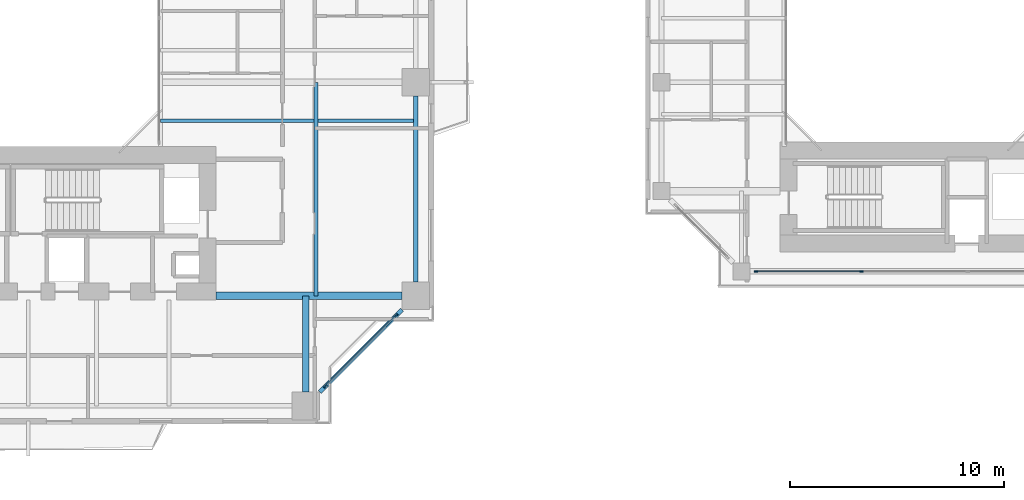
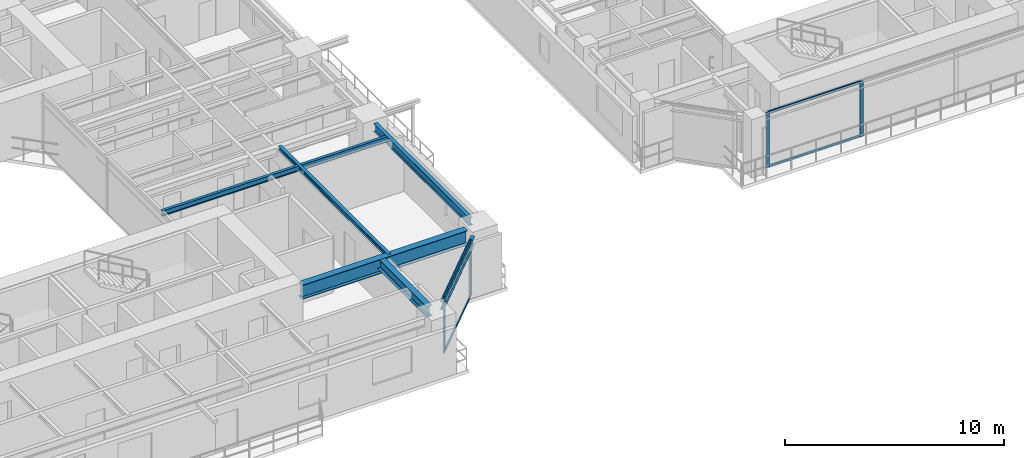
# One storey, part 5 of 23: 8 members, 6 beams, 2 elements without a shape of their own.
"""IFC4 building model written with IfcOpenShell, lengths in metres."""

from ifc_helpers import new_model, si_unit, direction, frame, origin, origin_2d, place, context, subcontext, project, spatial, rectangle, i_section, extrude, source, transform, mapped, material, layer, layer_set, material_profile, profile_set, type_object, element, aggregate, save


model = new_model("IFC4")

# Units and contexts
model_context = context("Model", 3, precision=1e-05, world=origin(), true_north=direction((0.0, 1.0)))
body_context = subcontext(model_context, "Body", "Model", "MODEL_VIEW")
ifc_project = project(units=[si_unit("LENGTHUNIT", "METRE"), si_unit("AREAUNIT", "SQUARE_METRE"), si_unit("VOLUMEUNIT", "CUBIC_METRE"), si_unit("PLANEANGLEUNIT", "RADIAN"), si_unit("MASSUNIT", "GRAM", prefix="KILO"), si_unit("THERMODYNAMICTEMPERATUREUNIT", "KELVIN"), si_unit("POWERUNIT", "WATT")], contexts=[model_context])

# Site, building, storey
site_placement = place(None, origin())
site = spatial("IfcSite", under=ifc_project, at=site_placement, CompositionType="ELEMENT")
building_placement = place(site_placement, origin())
building = spatial("IfcBuilding", under=site, at=building_placement, Name="Qiaomeng Ring Towers", CompositionType="ELEMENT")
storey_placement = place(building_placement, frame((0.0, 0.0, 79.5)))
storey = spatial("IfcBuildingStorey", under=building, at=storey_placement, Name="L22", CompositionType="ELEMENT", Elevation=79.5)

# Beams
ifc_material_1 = material(Name="Steel Q355B", Category="steel")
ifc_material_profile_1 = material_profile(ifc_material_1, i_section(OverallWidth=0.199951171875, OverallDepth=0.449951171875, WebThickness=0.009033203125, FlangeThickness=0.013916015625, FilletRadius=0.01806640625, at=origin_2d()), Name="HN 450x200x9x14")
ifc_profile_set_1 = profile_set([ifc_material_profile_1], Name="Steel Q355B")
beam_type_1 = type_object("IfcBeamType", Name="STR-BM-HN450", PredefinedType="SPANDREL", material=ifc_profile_set_1)
shared_shape_1 = source(origin(), body_context, "Body", "SweptSolid", [
    extrude(i_section(OverallWidth=0.199951171875, OverallDepth=0.449951171875, WebThickness=0.009033203125, FlangeThickness=0.013916015625, FilletRadius=0.01806640625, at=origin_2d()), origin(), (0.0, 0.0, 1.0), 5.446533203125),
])
beam_1_placement = place(storey_placement, frame((32.6494140625, 5.499267578125, 2.844970703125), z_axis=(0.707106781187, 0.707106781187, 0.0), x_axis=(-0.707106781187, 0.707106781187, 0.0)))
element("IfcBeam", 1, at=beam_1_placement, inside=storey, type_object=beam_type_1, Name="L22 beam STR-SP-L22-T1-S2-E1", PredefinedType="SPANDREL", context=body_context, shape_type="MappedRepresentation", body=[
    mapped(shared_shape_1, transform((0.0, 0.0, 0.0), x_axis=(1.0, 0.0, 0.0), y_axis=(0.0, 1.0, 0.0), z_axis=(0.0, 0.0, 1.0), scale=1.0)),
])
shared_shape_2 = source(origin(), body_context, "Body", "SweptSolid", [
    extrude(i_section(OverallWidth=0.199951171875, OverallDepth=0.449951171875, WebThickness=0.009033203125, FlangeThickness=0.013916015625, FilletRadius=0.01806640625, at=origin_2d()), origin(), (0.0, 0.0, 1.0), 8.7021484375),
])
beam_2_placement = place(storey_placement, frame((37.14990234375, 10.64892578125, 2.844970703125), z_axis=(0.0, 1.0, 0.0), x_axis=(-1.0, 0.0, 0.0)))
element("IfcBeam", 2, at=beam_2_placement, inside=storey, type_object=beam_type_1, Name="L22 beam STR-SP-L22-T1-E1-E2", PredefinedType="SPANDREL", context=body_context, shape_type="MappedRepresentation", body=[
    mapped(shared_shape_2, transform((0.0, 0.0, 0.0), x_axis=(1.0, 0.0, 0.0), y_axis=(0.0, 1.0, 0.0), z_axis=(0.0, 0.0, 1.0), scale=1.0)),
])
ifc_material_2 = material(Name="Steel Q390GJC", Category="steel")
ifc_material_profile_2 = material_profile(ifc_material_2, i_section(OverallWidth=0.35009765625, OverallDepth=0.800048828125, WebThickness=0.01611328125, FlangeThickness=0.028076171875, at=origin_2d()), Name="WH 800x350x16x28")
ifc_profile_set_2 = profile_set([ifc_material_profile_2], Name="Steel Q390GJC")
beam_type_2 = type_object("IfcBeamType", Name="STR-BM-WH800", PredefinedType="BEAM", material=ifc_profile_set_2)
shared_shape_3 = source(origin(), body_context, "Body", "SweptSolid", [
    extrude(i_section(OverallWidth=0.35009765625, OverallDepth=0.800048828125, WebThickness=0.01611328125, FlangeThickness=0.028076171875, at=origin_2d()), origin(), (0.0, 0.0, 1.0), 8.700927734375),
])
beam_3_placement = place(storey_placement, frame((27.800048828125, 10.0, 2.669921875), z_axis=(1.0, 0.0, 0.0), x_axis=(0.0, 1.0, 0.0)))
element("IfcBeam", 3, at=beam_3_placement, inside=storey, type_object=beam_type_2, Name="L22 beam STR-BM-L22-T1-RAD-E1", PredefinedType="BEAM", context=body_context, shape_type="MappedRepresentation", body=[
    mapped(shared_shape_3, transform((0.0, 0.0, 0.0), x_axis=(1.0, 0.0, 0.0), y_axis=(0.0, 1.0, 0.0), z_axis=(0.0, 0.0, 1.0), scale=1.0)),
])
ifc_material_profile_3 = material_profile(ifc_material_1, i_section(OverallWidth=0.300048828125, OverallDepth=0.587890625, WebThickness=0.011962890625, FlangeThickness=0.02001953125, FilletRadius=0.028076171875, at=origin_2d()), Name="HM 588x300x12x20")
ifc_profile_set_3 = profile_set([ifc_material_profile_3], Name="Steel Q355B")
beam_type_3 = type_object("IfcBeamType", Name="STR-BM-HM588", PredefinedType="BEAM", material=ifc_profile_set_3)
shared_shape_4 = source(origin(), body_context, "Body", "SweptSolid", [
    extrude(i_section(OverallWidth=0.300048828125, OverallDepth=0.587890625, WebThickness=0.011962890625, FlangeThickness=0.02001953125, FilletRadius=0.028076171875, at=origin_2d()), origin(), (0.0, 0.0, 1.0), 4.5009765625),
])
beam_4_placement = place(storey_placement, frame((32.0, 5.4990234375, 2.77587890625), z_axis=(0.0, 1.0, 0.0), x_axis=(-1.0, 0.0, 0.0)))
element("IfcBeam", 4, at=beam_4_placement, inside=storey, type_object=beam_type_3, Name="L22 beam STR-BM-L22-T1-RAD-S2", PredefinedType="BEAM", context=body_context, shape_type="MappedRepresentation", body=[
    mapped(shared_shape_4, transform((0.0, 0.0, 0.0), x_axis=(1.0, 0.0, 0.0), y_axis=(0.0, 1.0, 0.0), z_axis=(0.0, 0.0, 1.0), scale=1.0)),
])
ifc_material_profile_4 = material_profile(ifc_material_1, i_section(OverallWidth=0.14990234375, OverallDepth=0.300048828125, WebThickness=0.006591796875, FlangeThickness=0.009033203125, FilletRadius=0.012939453125, at=origin_2d()), Name="HN 300x150x6.5x9")
ifc_profile_set_4 = profile_set([ifc_material_profile_4], Name="Steel Q355B")
beam_type_4 = type_object("IfcBeamType", Name="STR-BM-HN300", PredefinedType="JOIST", material=ifc_profile_set_4)
shared_shape_5 = source(origin(), body_context, "Body", "SweptSolid", [
    extrude(i_section(OverallWidth=0.14990234375, OverallDepth=0.300048828125, WebThickness=0.006591796875, FlangeThickness=0.009033203125, FilletRadius=0.012939453125, at=origin_2d()), origin(), (0.0, 0.0, 1.0), 11.949951171875),
])
beam_5_placement = place(storey_placement, frame((25.199951171875, 18.199951171875, 2.919921875), z_axis=(1.0, 0.0, 0.0), x_axis=(0.0, 1.0, 0.0)))
element("IfcBeam", 5, at=beam_5_placement, inside=storey, type_object=beam_type_4, Name="L22 beam STR-JST-L22-T1E-1", PredefinedType="JOIST", context=body_context, shape_type="MappedRepresentation", body=[
    mapped(shared_shape_5, transform((0.0, 0.0, 0.0), x_axis=(1.0, 0.0, 0.0), y_axis=(0.0, 1.0, 0.0), z_axis=(0.0, 0.0, 1.0), scale=1.0)),
])
ifc_material_profile_5 = material_profile(ifc_material_1, i_section(OverallWidth=0.175048828125, OverallDepth=0.243896484375, WebThickness=0.007080078125, FlangeThickness=0.010986328125, FilletRadius=0.01611328125, at=origin_2d()), Name="HM 244x175x7x11")
ifc_profile_set_5 = profile_set([ifc_material_profile_5], Name="Steel Q355B")
beam_type_5 = type_object("IfcBeamType", Name="STR-BM-HM244", PredefinedType="JOIST", material=ifc_profile_set_5)
shared_shape_6 = source(origin(), body_context, "Body", "SweptSolid", [
    extrude(i_section(OverallWidth=0.175048828125, OverallDepth=0.243896484375, WebThickness=0.007080078125, FlangeThickness=0.010986328125, FilletRadius=0.01611328125, at=origin_2d()), origin(), (0.0, 0.0, 1.0), 10.0),
])
beam_6_placement = place(storey_placement, frame((32.47509765625, 10.0, 2.947998046875), z_axis=(0.0, 1.0, 0.0), x_axis=(-1.0, 0.0, 0.0)))
element("IfcBeam", 6, at=beam_6_placement, inside=storey, type_object=beam_type_5, Name="L22 beam STR-JST-L22-T1C-ES", PredefinedType="JOIST", context=body_context, shape_type="MappedRepresentation", body=[
    mapped(shared_shape_6, transform((0.0, 0.0, 0.0), x_axis=(1.0, 0.0, 0.0), y_axis=(0.0, 1.0, 0.0), z_axis=(0.0, 0.0, 1.0), scale=1.0)),
])

# Curtain wall, members
ifc_material_3 = material(Name="Fluorocarbon dark-grey aluminium", Category="aluminium")
ifc_layer_1 = layer(ifc_material_3, 0.159912109375, Name="Fluorocarbon dark-grey aluminium")
ifc_layer_set_1 = layer_set([ifc_layer_1], Name="Fluorocarbon dark-grey aluminium")
curtain_wall_type_1 = type_object("IfcCurtainWallType", Name="ARC-CW-2", PredefinedType="NOTDEFINED", material=ifc_layer_set_1)
curtain_wall_1_placement = place(storey_placement, origin())
curtain_wall_1 = element("IfcCurtainWall", 7, at=curtain_wall_1_placement, inside=storey, type_object=curtain_wall_type_1, Name="L22 Curtain Wall CW2", PredefinedType="NOTDEFINED")
ifc_material_profile_6 = material_profile(ifc_material_3, rectangle(XDim=0.070068359375, YDim=0.179931640625, at=origin_2d()), Name="ALU MULL 70x180")
ifc_profile_set_6 = profile_set([ifc_material_profile_6], Name="Fluorocarbon dark-grey aluminium")
member_type_1 = type_object("IfcMemberType", Name="ARC-CWM-160", PredefinedType="MULLION", material=ifc_profile_set_6)
shared_shape_7 = source(origin(), body_context, "Body", "SweptSolid", [
    extrude(rectangle(XDim=0.070068359375, YDim=0.179931640625, at=origin_2d()), origin(), (0.0, 0.0, 1.0), 3.070068359375),
])
member_1_placement = place(storey_placement, frame((32.914794921875, 5.7646484375, 0.0), z_axis=(0.0, 0.0, 1.0), x_axis=(-0.707106781187, 0.707106781187, 0.0)))
member_1 = element("IfcMember", 8, at=member_1_placement, type_object=member_type_1, Name="CW2 mullion 1", PredefinedType="MULLION", context=body_context, shape_type="MappedRepresentation", body=[
    mapped(shared_shape_7, transform((0.0, 0.0, 0.0), x_axis=(1.0, 0.0, 0.0), y_axis=(0.0, 1.0, 0.0), z_axis=(0.0, 0.0, 1.0), scale=1.0)),
])
member_2_placement = place(storey_placement, frame((36.2353515625, 9.085205078125, 0.0), z_axis=(0.0, 0.0, 1.0), x_axis=(-0.707106781187, 0.707106781187, 0.0)))
member_2 = element("IfcMember", 9, at=member_2_placement, type_object=member_type_1, Name="CW2 mullion 2", PredefinedType="MULLION", context=body_context, shape_type="MappedRepresentation", body=[
    mapped(shared_shape_7, transform((0.0, 0.0, 0.0), x_axis=(1.0, 0.0, 0.0), y_axis=(0.0, 1.0, 0.0), z_axis=(0.0, 0.0, 1.0), scale=1.0)),
])

ifc_layer_2 = layer(ifc_material_3, 0.14990234375, Name="Fluorocarbon dark-grey aluminium")
ifc_layer_set_2 = layer_set([ifc_layer_2], Name="Fluorocarbon dark-grey aluminium")
curtain_wall_type_2 = type_object("IfcCurtainWallType", Name="ARC-CW-5", PredefinedType="NOTDEFINED", material=ifc_layer_set_2)
curtain_wall_2_placement = place(storey_placement, origin())
curtain_wall_2 = element("IfcCurtainWall", 10, at=curtain_wall_2_placement, inside=storey, type_object=curtain_wall_type_2, Name="L22 Curtain Wall CW5", PredefinedType="NOTDEFINED")
member_3_placement = place(storey_placement, frame((53.074951171875, 11.14990234375, 0.0), z_axis=(0.0, 0.0, 1.0), x_axis=(0.0, 1.0, 0.0)))
member_3 = element("IfcMember", 11, at=member_3_placement, type_object=member_type_1, Name="CW5 mullion 1", PredefinedType="MULLION", context=body_context, shape_type="MappedRepresentation", body=[
    mapped(shared_shape_7, transform((0.0, 0.0, 0.0), x_axis=(1.0, 0.0, 0.0), y_axis=(0.0, 1.0, 0.0), z_axis=(0.0, 0.0, 1.0), scale=1.0)),
])
member_4_placement = place(storey_placement, frame((58.013427734375, 11.14990234375, 0.0), z_axis=(0.0, 0.0, 1.0), x_axis=(0.0, 1.0, 0.0)))
member_4 = element("IfcMember", 12, at=member_4_placement, type_object=member_type_1, Name="CW5 mullion 2", PredefinedType="MULLION", context=body_context, shape_type="MappedRepresentation", body=[
    mapped(shared_shape_7, transform((0.0, 0.0, 0.0), x_axis=(1.0, 0.0, 0.0), y_axis=(0.0, 1.0, 0.0), z_axis=(0.0, 0.0, 1.0), scale=1.0)),
])

# Member
ifc_material_profile_7 = material_profile(ifc_material_3, rectangle(XDim=0.06494140625, YDim=0.1298828125, at=origin_2d()), Name="ALU TRAN 65x130")
ifc_profile_set_7 = profile_set([ifc_material_profile_7], Name="Fluorocarbon dark-grey aluminium")
member_type_2 = type_object("IfcMemberType", Name="ARC-CWT-120", PredefinedType="USERDEFINED", material=ifc_profile_set_7)
shared_shape_8 = source(origin(), body_context, "Body", "SweptSolid", [
    extrude(rectangle(XDim=0.06494140625, YDim=0.1298828125, at=origin_2d()), origin(), (0.0, 0.0, 1.0), 4.6259765625),
])
member_5_placement = place(storey_placement, frame((32.939453125, 5.78955078125, 0.032470703125), z_axis=(0.707106781187, 0.707106781187, 0.0), x_axis=(-0.707106781187, 0.707106781187, 0.0)))
member_5 = element("IfcMember", 13, at=member_5_placement, type_object=member_type_2, Name="CW2 transom 1.1", ObjectType="TRANSOM", PredefinedType="USERDEFINED", context=body_context, shape_type="MappedRepresentation", body=[
    mapped(shared_shape_8, transform((0.0, 0.0, 0.0), x_axis=(1.0, 0.0, 0.0), y_axis=(0.0, 1.0, 0.0), z_axis=(0.0, 0.0, 1.0), scale=1.0)),
])

member_6_placement = place(storey_placement, frame((32.939453125, 5.78955078125, 3.03759765625), z_axis=(0.707106781187, 0.707106781187, 0.0), x_axis=(-0.707106781187, 0.707106781187, 0.0)))
member_6 = element("IfcMember", 14, at=member_6_placement, type_object=member_type_2, Name="CW2 transom 1.2", ObjectType="TRANSOM", PredefinedType="USERDEFINED", context=body_context, shape_type="MappedRepresentation", body=[
    mapped(shared_shape_8, transform((0.0, 0.0, 0.0), x_axis=(1.0, 0.0, 0.0), y_axis=(0.0, 1.0, 0.0), z_axis=(0.0, 0.0, 1.0), scale=1.0)),
])

aggregate(curtain_wall_1, [member_1, member_2, member_5, member_6])

shared_shape_9 = source(origin(), body_context, "Body", "SweptSolid", [
    extrude(rectangle(XDim=0.06494140625, YDim=0.1298828125, at=origin_2d()), origin(), (0.0, 0.0, 1.0), 4.8681640625),
])
member_7_placement = place(storey_placement, frame((53.110107421875, 11.14990234375, 0.032470703125), z_axis=(1.0, 0.0, 0.0), x_axis=(0.0, 1.0, 0.0)))
member_7 = element("IfcMember", 15, at=member_7_placement, type_object=member_type_2, Name="CW5 transom 1.1", ObjectType="TRANSOM", PredefinedType="USERDEFINED", context=body_context, shape_type="MappedRepresentation", body=[
    mapped(shared_shape_9, transform((0.0, 0.0, 0.0), x_axis=(1.0, 0.0, 0.0), y_axis=(0.0, 1.0, 0.0), z_axis=(0.0, 0.0, 1.0), scale=1.0)),
])

member_8_placement = place(storey_placement, frame((53.110107421875, 11.14990234375, 3.03759765625), z_axis=(1.0, 0.0, 0.0), x_axis=(0.0, 1.0, 0.0)))
member_8 = element("IfcMember", 16, at=member_8_placement, type_object=member_type_2, Name="CW5 transom 1.2", ObjectType="TRANSOM", PredefinedType="USERDEFINED", context=body_context, shape_type="MappedRepresentation", body=[
    mapped(shared_shape_9, transform((0.0, 0.0, 0.0), x_axis=(1.0, 0.0, 0.0), y_axis=(0.0, 1.0, 0.0), z_axis=(0.0, 0.0, 1.0), scale=1.0)),
])

aggregate(curtain_wall_2, [member_3, member_4, member_7, member_8])

save(model, "model.ifc")
